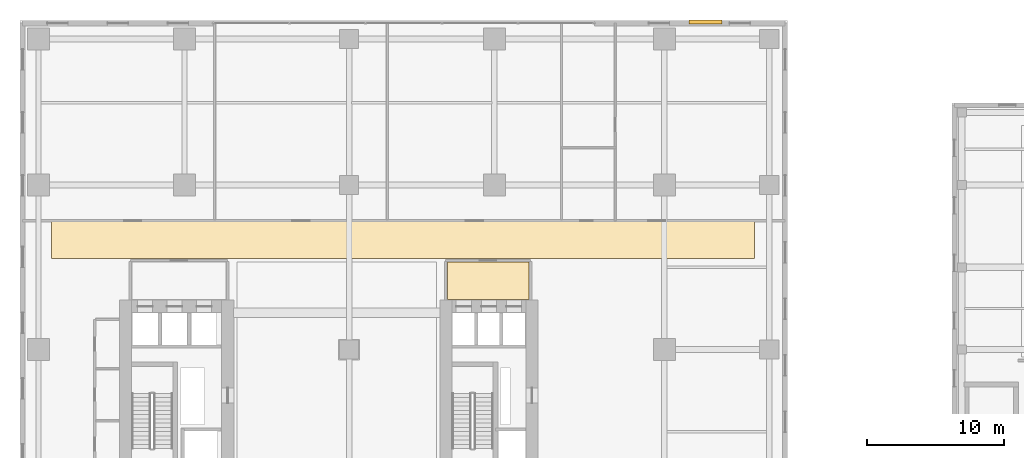
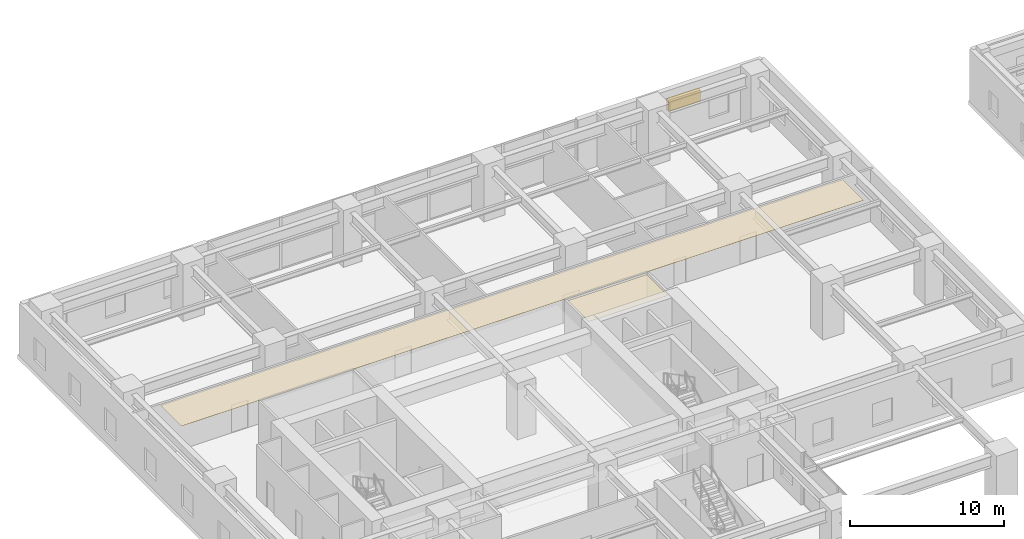
# One storey, part 26 of 28: 2 coverings, 1 shading device.
"""IFC4 building model written with IfcOpenShell, lengths in metres."""

from ifc_helpers import new_model, si_unit, direction, frame, origin, origin_2d, place, context, subcontext, project, spatial, polyline, rectangle, outline, extrude, source, transform, mapped, material, layer, layer_set, type_object, element, save


model = new_model("IFC4")

# Units and contexts
model_context = context("Model", 3, precision=1e-05, world=origin(), true_north=direction((0.0, 1.0)))
body_context = subcontext(model_context, "Body", "Model", "MODEL_VIEW")
ifc_project = project(units=[si_unit("LENGTHUNIT", "METRE"), si_unit("AREAUNIT", "SQUARE_METRE"), si_unit("VOLUMEUNIT", "CUBIC_METRE"), si_unit("PLANEANGLEUNIT", "RADIAN"), si_unit("MASSUNIT", "GRAM", prefix="KILO")], contexts=[model_context])

# Site, building, storey
site_placement = place(None, origin())
site = spatial("IfcSite", under=ifc_project, at=site_placement, CompositionType="ELEMENT")
building_placement = place(site_placement, origin())
building = spatial("IfcBuilding", under=site, at=building_placement, Name="Khoralis Quay Care Tower", CompositionType="ELEMENT")
storey_placement = place(building_placement, frame((0.0, 0.0, 9.0)))
storey = spatial("IfcBuildingStorey", under=building, at=storey_placement, Name="L02", CompositionType="ELEMENT", Elevation=9.0)

# Coverings
ifc_material_1 = material(Name="Mineral-fibre acoustic ceiling tile")
ifc_layer_1 = layer(ifc_material_1, 0.01806640625)
ifc_layer_set_1 = layer_set([ifc_layer_1], Name="Mineral-fibre acoustic ceiling tile")
covering_type = type_object("IfcCoveringType", Name="COV-CEIL-AC18", PredefinedType="CEILING", material=ifc_layer_set_1)
covering_1_placement = place(storey_placement, frame((0.0, 0.0, 4.011962890625)))
element("IfcCovering", 1, at=covering_1_placement, inside=storey, type_object=covering_type, Name="Suspended Acoustic Ceiling SP-L02-LLOB-E", PredefinedType="CEILING", context=body_context, shape_type="SweptSolid", body=[
    extrude(outline(polyline([(31.179931640625, 27.64990234375), (37.1201171875, 27.64990234375), (37.1201171875, 30.389892578125), (31.179931640625, 30.389892578125), (31.179931640625, 27.64990234375)])), origin(), (0.0, 0.0, 1.0), 0.01806640625),
])
covering_2_placement = place(storey_placement, frame((0.0, 0.0, 4.011962890625)))
element("IfcCovering", 2, at=covering_2_placement, inside=storey, type_object=covering_type, Name="Suspended Acoustic Ceiling SP-L02-PCORR-N", PredefinedType="CEILING", context=body_context, shape_type="SweptSolid", body=[
    extrude(outline(polyline([(2.2900390625, 30.639892578125), (53.56005859375, 30.639892578125), (53.56005859375, 33.360107421875), (2.2900390625, 33.360107421875), (2.2900390625, 30.639892578125)])), origin(), (0.0, 0.0, 1.0), 0.01806640625),
])

# Shading device
ifc_material_2 = material(Name="Brushed pale anodised aluminium", Category="aluminium")
ifc_layer_2 = layer(ifc_material_2, 0.080078125)
ifc_layer_set_2 = layer_set([ifc_layer_2], Name="Brushed pale anodised aluminium")
shading_device_type = type_object("IfcShadingDeviceType", Name="SHD-LOUVRE-300", PredefinedType="USERDEFINED", material=ifc_layer_set_2)
shared_shape = source(origin(), body_context, "Body", "SweptSolid", [
    extrude(rectangle(XDim=2.39990234375, YDim=0.280029296875, at=origin_2d()), origin(), (0.0, 0.0, 1.0), 0.89990234375),
])
shading_device_placement = place(storey_placement, frame((50.0, 47.89990234375, 2.35009765625), z_axis=(0.0, 0.0, 1.0), x_axis=(1.0, 0.0, 0.0)))
element("IfcShadingDevice", 3, at=shading_device_placement, inside=storey, type_object=shading_device_type, Name="L02 Podium Mechanical Intake Louvre", ObjectType="LOUVRE", PredefinedType="USERDEFINED", context=body_context, shape_type="MappedRepresentation", body=[
    mapped(shared_shape, transform((0.0, 0.0, 0.0), scale=1.0)),
])

save(model, "model.ifc")
